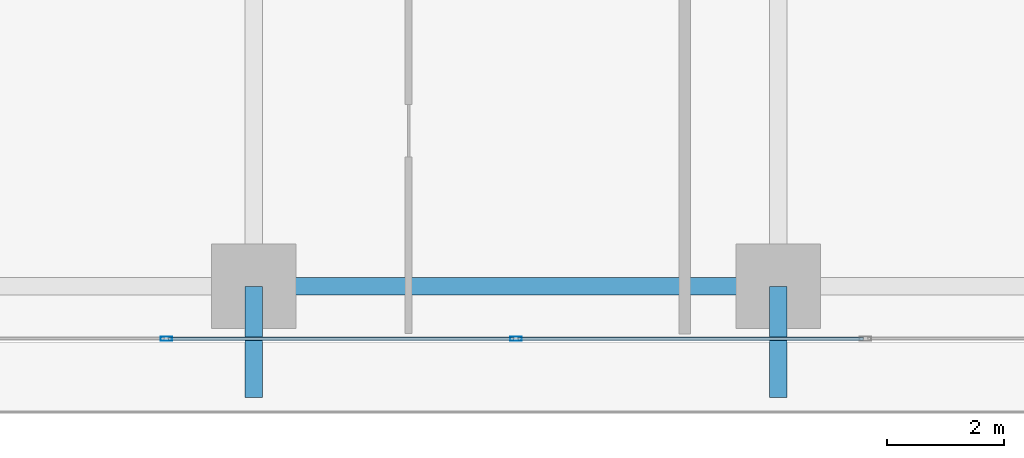
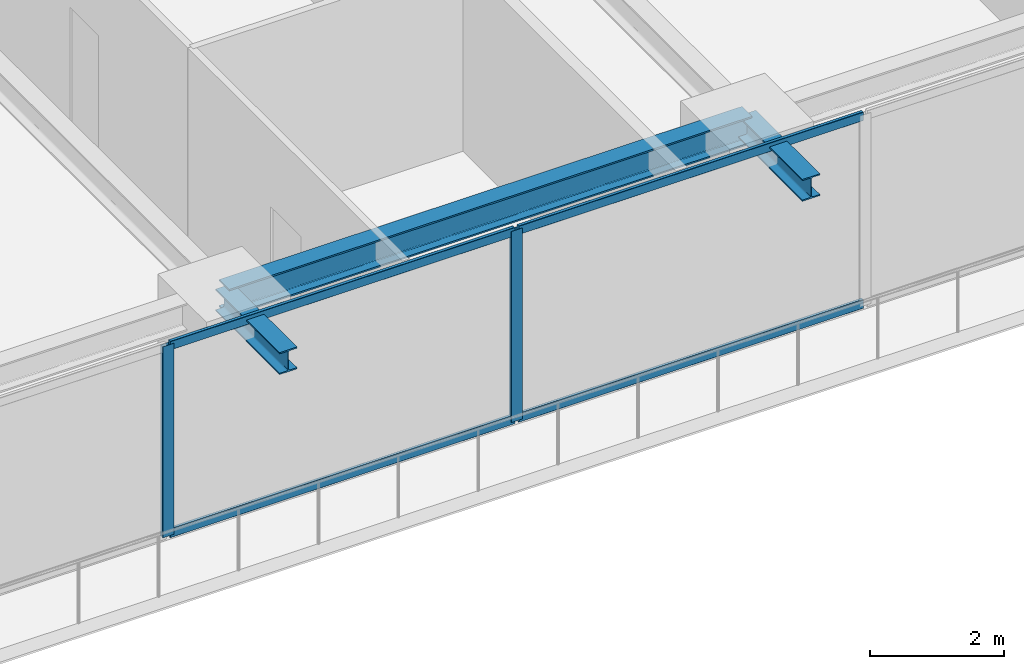
# One storey, part 5 of 38: 6 members, 3 beams, 1 element without a shape of its own.
"""IFC4 building model written with IfcOpenShell, lengths in metres."""

from ifc_helpers import new_model, si_unit, direction, frame, origin, origin_2d, place, context, subcontext, project, spatial, hollow_rectangle, i_section, extrude, source, transform, mapped, material, layer, layer_set, material_profile, profile_set, type_object, element, aggregate, save


model = new_model("IFC4")

# Units and contexts
model_context = context("Model", 3, precision=1e-05, world=origin(), true_north=direction((0.0, 1.0)))
body_context = subcontext(model_context, "Body", "Model", "MODEL_VIEW")
ifc_project = project(units=[si_unit("LENGTHUNIT", "METRE"), si_unit("AREAUNIT", "SQUARE_METRE"), si_unit("VOLUMEUNIT", "CUBIC_METRE"), si_unit("PLANEANGLEUNIT", "RADIAN"), si_unit("MASSUNIT", "GRAM", prefix="KILO")], contexts=[model_context])

# Site, building, storey
site_placement = place(None, origin())
site = spatial("IfcSite", under=ifc_project, at=site_placement, CompositionType="ELEMENT")
building_placement = place(site_placement, origin())
building = spatial("IfcBuilding", under=site, at=building_placement, Name="Serunith Strait Residences", CompositionType="ELEMENT")
storey_placement = place(building_placement, frame((0.0, 0.0, 82.949951171875)))
storey = spatial("IfcBuildingStorey", under=building, at=storey_placement, Name="L20", CompositionType="ELEMENT", Elevation=82.949951171875)

# Beams
ifc_material_1 = material(Name="Steel S355J2", Category="steel")
ifc_material_profile_1 = material_profile(ifc_material_1, i_section(OverallWidth=0.300048828125, OverallDepth=0.5, WebThickness=0.014404296875, FlangeThickness=0.028076171875, FilletRadius=0.027099609375, at=origin_2d()), Name="HEB 500")
ifc_profile_set_1 = profile_set([ifc_material_profile_1], Name="Steel S355J2")
beam_type_1 = type_object("IfcBeamType", Name="BM-HEB500", PredefinedType="BEAM", material=ifc_profile_set_1)
shared_shape_1 = source(origin(), body_context, "Body", "SweptSolid", [
    extrude(i_section(OverallWidth=0.300048828125, OverallDepth=0.5, WebThickness=0.014404296875, FlangeThickness=0.028076171875, FilletRadius=0.027099609375, at=origin_2d()), origin(), (0.0, 0.0, 1.0), 9.0),
])
beam_placement = place(storey_placement, frame((27.89990234375, 1.10009765625, 3.237060546875), z_axis=(1.0, 0.0, 0.0), x_axis=(0.0, 1.0, 0.0)))
element("IfcBeam", 1, at=beam_placement, inside=storey, type_object=beam_type_1, Name="L20 Perimeter Ring Beam 02", PredefinedType="BEAM", context=body_context, shape_type="MappedRepresentation", body=[
    mapped(shared_shape_1, transform((0.0, 0.0, 0.0), scale=1.0)),
])
ifc_material_profile_2 = material_profile(ifc_material_1, i_section(OverallWidth=0.300048828125, OverallDepth=0.39990234375, WebThickness=0.013427734375, FlangeThickness=0.02392578125, FilletRadius=0.027099609375, at=origin_2d()), Name="HEB 400")
ifc_profile_set_2 = profile_set([ifc_material_profile_2], Name="Steel S355J2")
beam_type_2 = type_object("IfcBeamType", Name="BM-HEB400", PredefinedType="BEAM", material=ifc_profile_set_2)
shared_shape_2 = source(origin(), body_context, "Body", "SweptSolid", [
    extrude(i_section(OverallWidth=0.300048828125, OverallDepth=0.39990234375, WebThickness=0.013427734375, FlangeThickness=0.02392578125, FilletRadius=0.027099609375, at=origin_2d()), origin(), (0.0, 0.0, 1.0), 1.91015625),
])
for number, where, z_axis, x_axis, name in (
    (2, (27.89990234375, 1.10009765625, 3.257080078125), (0.0, -1.0, 0.0), (1.0, 0.0, 0.0), "L21 Cantilevered Balcony Rib TC-S2"),
    (3, (36.89990234375, 1.10009765625, 3.257080078125), (0.0, -1.0, 0.0), (1.0, 0.0, 0.0), "L21 Cantilevered Balcony Rib TC-S3"),
):
    element("IfcBeam", number, at=place(storey_placement, frame(where, z_axis=z_axis, x_axis=x_axis)), inside=storey, type_object=beam_type_2, Name=name, PredefinedType="BEAM", context=body_context, shape_type="MappedRepresentation", body=[
        mapped(shared_shape_2, transform((0.0, 0.0, 0.0), scale=1.0)),
    ])

# Curtain wall, members
ifc_material_2 = material(Name="Pale-Champagne Anodised Aluminium", Category="aluminium")
ifc_layer = layer(ifc_material_2, 0.199951171875, Name="Pale-Champagne Anodised Aluminium")
ifc_layer_set = layer_set([ifc_layer], Name="Pale-Champagne Anodised Aluminium")
curtain_wall_type = type_object("IfcCurtainWallType", Name="CW-SYS1", PredefinedType="NOTDEFINED", material=ifc_layer_set)
curtain_wall_placement = place(storey_placement, origin())
curtain_wall = element("IfcCurtainWall", 4, at=curtain_wall_placement, inside=storey, type_object=curtain_wall_type, Name="L20 S Unitised Fritted Curtain Wall", PredefinedType="NOTDEFINED")
ifc_material_profile_3 = material_profile(ifc_material_2, hollow_rectangle(XDim=0.070068359375, YDim=0.199951171875, WallThickness=0.00390625, InnerFilletRadius=0.006103515625, OuterFilletRadius=0.010009765625, at=origin_2d()), Name="ALU 200x70x4")
ifc_profile_set_3 = profile_set([ifc_material_profile_3], Name="Pale-Champagne Anodised Aluminium")
member_type_1 = type_object("IfcMemberType", Name="CW-SYS1-MULL", PredefinedType="MULLION", material=ifc_profile_set_3)
shared_shape_3 = source(origin(), body_context, "Body", "SweptSolid", [
    extrude(hollow_rectangle(XDim=0.070068359375, YDim=0.199951171875, WallThickness=0.00390625, InnerFilletRadius=0.006103515625, OuterFilletRadius=0.010009765625, at=origin_2d()), origin(), (0.0, 0.0, 1.0), 3.47509765625),
])
member_1_placement = place(storey_placement, frame((26.39990234375, 0.199951171875, 0.0), z_axis=(0.0, 0.0, 1.0), x_axis=(0.0, 1.0, 0.0)))
member_1 = element("IfcMember", 5, at=member_1_placement, type_object=member_type_1, Name="CW-1 mullion 3", PredefinedType="MULLION", context=body_context, shape_type="MappedRepresentation", body=[
    mapped(shared_shape_3, transform((0.0, 0.0, 0.0), scale=1.0)),
])
member_2_placement = place(storey_placement, frame((32.39990234375, 0.199951171875, 0.0), z_axis=(0.0, 0.0, 1.0), x_axis=(0.0, 1.0, 0.0)))
member_2 = element("IfcMember", 6, at=member_2_placement, type_object=member_type_1, Name="CW-1 mullion 4", PredefinedType="MULLION", context=body_context, shape_type="MappedRepresentation", body=[
    mapped(shared_shape_3, transform((0.0, 0.0, 0.0), scale=1.0)),
])
ifc_material_profile_4 = material_profile(ifc_material_2, hollow_rectangle(XDim=0.06005859375, YDim=0.159912109375, WallThickness=0.00341796875, InnerFilletRadius=0.00537109375, OuterFilletRadius=0.0087890625, at=origin_2d()), Name="ALU 160x60x3.5")
ifc_profile_set_4 = profile_set([ifc_material_profile_4], Name="Pale-Champagne Anodised Aluminium")
member_type_2 = type_object("IfcMemberType", Name="CW-SYS1-TRAN", PredefinedType="USERDEFINED", material=ifc_profile_set_4)
shared_shape_4 = source(origin(), body_context, "Body", "SweptSolid", [
    extrude(hollow_rectangle(XDim=0.06005859375, YDim=0.159912109375, WallThickness=0.00341796875, InnerFilletRadius=0.00537109375, OuterFilletRadius=0.0087890625, at=origin_2d()), origin(), (0.0, 0.0, 1.0), 5.929931640625),
])
member_3_placement = place(storey_placement, frame((26.43505859375, 0.199951171875, 0.030029296875), z_axis=(1.0, 0.0, 0.0), x_axis=(0.0, 1.0, 0.0)))
member_3 = element("IfcMember", 7, at=member_3_placement, type_object=member_type_2, Name="CW-1 transom 3.1", ObjectType="TRANSOM", PredefinedType="USERDEFINED", context=body_context, shape_type="MappedRepresentation", body=[
    mapped(shared_shape_4, transform((0.0, 0.0, 0.0), scale=1.0)),
])
member_4_placement = place(storey_placement, frame((26.43505859375, 0.199951171875, 3.445068359375), z_axis=(1.0, 0.0, 0.0), x_axis=(0.0, 1.0, 0.0)))
member_4 = element("IfcMember", 8, at=member_4_placement, type_object=member_type_2, Name="CW-1 transom 3.2", ObjectType="TRANSOM", PredefinedType="USERDEFINED", context=body_context, shape_type="MappedRepresentation", body=[
    mapped(shared_shape_4, transform((0.0, 0.0, 0.0), scale=1.0)),
])
member_5_placement = place(storey_placement, frame((32.43505859375, 0.199951171875, 0.030029296875), z_axis=(1.0, 0.0, 0.0), x_axis=(0.0, 1.0, 0.0)))
member_5 = element("IfcMember", 9, at=member_5_placement, type_object=member_type_2, Name="CW-1 transom 4.1", ObjectType="TRANSOM", PredefinedType="USERDEFINED", context=body_context, shape_type="MappedRepresentation", body=[
    mapped(shared_shape_4, transform((0.0, 0.0, 0.0), scale=1.0)),
])
member_6_placement = place(storey_placement, frame((32.43505859375, 0.199951171875, 3.445068359375), z_axis=(1.0, 0.0, 0.0), x_axis=(0.0, 1.0, 0.0)))
member_6 = element("IfcMember", 10, at=member_6_placement, type_object=member_type_2, Name="CW-1 transom 4.2", ObjectType="TRANSOM", PredefinedType="USERDEFINED", context=body_context, shape_type="MappedRepresentation", body=[
    mapped(shared_shape_4, transform((0.0, 0.0, 0.0), scale=1.0)),
])
aggregate(curtain_wall, [member_1, member_2, member_3, member_4, member_5, member_6])

save(model, "model.ifc")
